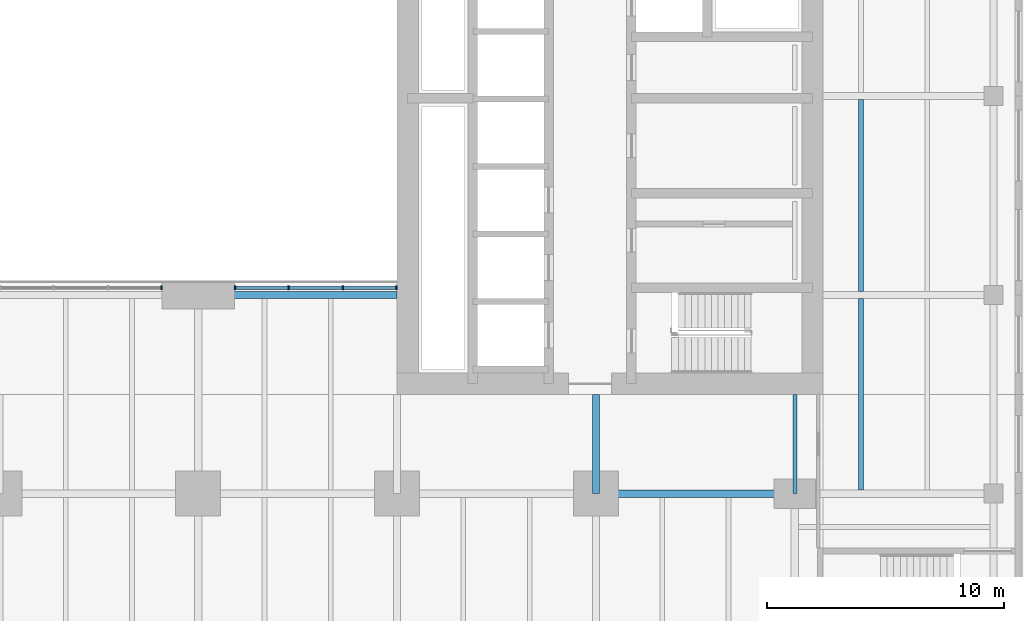
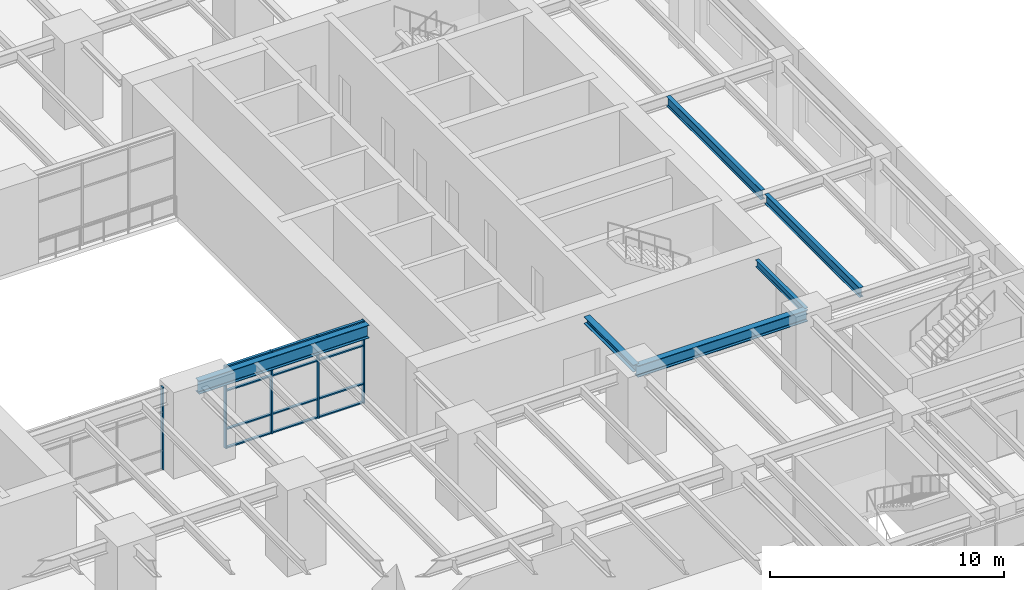
# One storey, part 7 of 30: 17 members, 6 beams, 2 elements without a shape of their own.
"""IFC4 building model written with IfcOpenShell, lengths in metres."""

from ifc_helpers import new_model, si_unit, direction, frame, origin, origin_2d, place, context, subcontext, project, spatial, rectangle, i_section, extrude, material, material_profile, profile_set, type_object, element, aggregate, save


model = new_model("IFC4")

# Units and contexts
model_context = context("Model", 3, precision=1e-05, world=origin(), true_north=direction((0.0, 1.0)))
body_context = subcontext(model_context, "Body", "Model", "MODEL_VIEW")
ifc_project = project(units=[si_unit("LENGTHUNIT", "METRE"), si_unit("AREAUNIT", "SQUARE_METRE"), si_unit("VOLUMEUNIT", "CUBIC_METRE"), si_unit("PLANEANGLEUNIT", "RADIAN"), si_unit("MASSUNIT", "GRAM", prefix="KILO")], contexts=[model_context])

# Site, building, storey
site_placement = place(None, origin())
site = spatial("IfcSite", under=ifc_project, at=site_placement, CompositionType="ELEMENT")
building_placement = place(site_placement, origin())
building = spatial("IfcBuilding", under=site, at=building_placement, Name="Claustro Exchange Tower", CompositionType="ELEMENT")
storey_placement = place(building_placement, frame((0.0, 0.0, 5.39990234375)))
storey = spatial("IfcBuildingStorey", under=building, at=storey_placement, Name="L01", CompositionType="ELEMENT", Elevation=5.39990234375)

# Beams
ifc_material_1 = material(Name="Steel S355", Category="steel")
ifc_material_profile_1 = material_profile(ifc_material_1, i_section(OverallWidth=0.300048828125, OverallDepth=0.60009765625, WebThickness=0.015380859375, FlangeThickness=0.030029296875, FilletRadius=0.027099609375, at=origin_2d()), Name="HE 600 B")
ifc_profile_set_1 = profile_set([ifc_material_profile_1], Name="Steel S355")
beam_type_1 = type_object("IfcBeamType", Name="B1 HE 600 B floor girder", PredefinedType="BEAM", material=ifc_profile_set_1)
beam_1_placement = place(storey_placement, frame((42.0, 8.39990234375, 4.0), z_axis=(1.0, 0.0, 0.0), x_axis=(0.0, 1.0, 0.0)))
element("IfcBeam", 1, at=beam_1_placement, inside=storey, type_object=beam_type_1, Name="Beam B1 L02", PredefinedType="BEAM", context=body_context, shape_type="SweptSolid", body=[
    extrude(i_section(OverallWidth=0.300048828125, OverallDepth=0.60009765625, WebThickness=0.015380859375, FlangeThickness=0.030029296875, FilletRadius=0.027099609375, at=origin_2d()), origin(), (0.0, 0.0, 1.0), 8.39990234375),
])
ifc_material_2 = material(Name="Steel S355", Category="steel")
ifc_material_profile_2 = material_profile(ifc_material_2, i_section(OverallWidth=0.300048828125, OverallDepth=0.68994140625, WebThickness=0.014404296875, FlangeThickness=0.027099609375, FilletRadius=0.027099609375, at=origin_2d()), Name="HE 700 A")
ifc_profile_set_2 = profile_set([ifc_material_profile_2], Name="Steel S355")
beam_type_2 = type_object("IfcBeamType", Name="B13 HE 700 A light well edge girder", PredefinedType="BEAM", material=ifc_profile_set_2)
beam_2_placement = place(storey_placement, frame((25.199951171875, 16.800048828125, 3.955078125), z_axis=(1.0, 0.0, 0.0), x_axis=(0.0, 1.0, 0.0)))
element("IfcBeam", 2, at=beam_2_placement, inside=storey, type_object=beam_type_2, Name="Beam B13 L02", PredefinedType="BEAM", context=body_context, shape_type="SweptSolid", body=[
    extrude(i_section(OverallWidth=0.300048828125, OverallDepth=0.68994140625, WebThickness=0.014404296875, FlangeThickness=0.027099609375, FilletRadius=0.027099609375, at=origin_2d()), origin(), (0.0, 0.0, 1.0), 8.400146484375),
])
ifc_material_3 = material(Name="Steel S355", Category="steel")
ifc_material_profile_3 = material_profile(ifc_material_3, i_section(OverallWidth=0.169921875, OverallDepth=0.360107421875, WebThickness=0.008056640625, FlangeThickness=0.0126953125, FilletRadius=0.01806640625, at=origin_2d()), Name="IPE 360")
ifc_profile_set_3 = profile_set([ifc_material_profile_3], Name="Steel S355")
beam_type_3 = type_object("IfcBeamType", Name="B16 IPE 360 short-span beam", PredefinedType="BEAM", material=ifc_profile_set_3)
beam_3_placement = place(storey_placement, frame((50.39990234375, 8.39990234375, 4.1201171875), z_axis=(0.0, 1.0, 0.0), x_axis=(-1.0, 0.0, 0.0)))
element("IfcBeam", 3, at=beam_3_placement, inside=storey, type_object=beam_type_3, Name="Beam B16 L02", PredefinedType="BEAM", context=body_context, shape_type="SweptSolid", body=[
    extrude(i_section(OverallWidth=0.169921875, OverallDepth=0.360107421875, WebThickness=0.008056640625, FlangeThickness=0.0126953125, FilletRadius=0.01806640625, at=origin_2d()), origin(), (0.0, 0.0, 1.0), 4.2001953125),
])
ifc_material_4 = material(Name="Steel S355", Category="steel")
ifc_material_profile_4 = material_profile(ifc_material_4, i_section(OverallWidth=0.199951171875, OverallDepth=0.5, WebThickness=0.01025390625, FlangeThickness=0.01611328125, FilletRadius=0.02099609375, at=origin_2d()), Name="IPE 500")
ifc_profile_set_4 = profile_set([ifc_material_profile_4], Name="Steel S355")
beam_type_4 = type_object("IfcBeamType", Name="B2 IPE 500 secondary beam", PredefinedType="BEAM", material=ifc_profile_set_4)
beam_4_placement = place(storey_placement, frame((53.199951171875, 8.550048828125, 4.050048828125), z_axis=(0.0, 1.0, 0.0), x_axis=(-1.0, 0.0, 0.0)))
element("IfcBeam", 4, at=beam_4_placement, inside=storey, type_object=beam_type_4, Name="Beam B2 L02", PredefinedType="BEAM", context=body_context, shape_type="SweptSolid", body=[
    extrude(i_section(OverallWidth=0.199951171875, OverallDepth=0.5, WebThickness=0.01025390625, FlangeThickness=0.01611328125, FilletRadius=0.02099609375, at=origin_2d()), origin(), (0.0, 0.0, 1.0), 8.099853515625),
])
beam_5_placement = place(storey_placement, frame((53.199951171875, 16.949951171875, 4.050048828125), z_axis=(0.0, 1.0, 0.0), x_axis=(-1.0, 0.0, 0.0)))
element("IfcBeam", 5, at=beam_5_placement, inside=storey, type_object=beam_type_4, Name="Beam B2 L02", PredefinedType="BEAM", context=body_context, shape_type="SweptSolid", body=[
    extrude(i_section(OverallWidth=0.199951171875, OverallDepth=0.5, WebThickness=0.01025390625, FlangeThickness=0.01611328125, FilletRadius=0.02099609375, at=origin_2d()), origin(), (0.0, 0.0, 1.0), 8.10009765625),
])
ifc_material_5 = material(Name="Steel S355", Category="steel")
ifc_material_profile_5 = material_profile(ifc_material_5, i_section(OverallWidth=0.300048828125, OverallDepth=0.360107421875, WebThickness=0.012451171875, FlangeThickness=0.0224609375, FilletRadius=0.027099609375, at=origin_2d()), Name="HE 360 B")
ifc_profile_set_5 = profile_set([ifc_material_profile_5], Name="Steel S355")
beam_type_5 = type_object("IfcBeamType", Name="B29 HE 360 B column to core link beam", PredefinedType="BEAM", material=ifc_profile_set_5)
beam_6_placement = place(storey_placement, frame((42.0, 8.39990234375, 4.1201171875), z_axis=(0.0, 1.0, 0.0), x_axis=(-1.0, 0.0, 0.0)))
element("IfcBeam", 6, at=beam_6_placement, inside=storey, type_object=beam_type_5, Name="Beam B29 L02", PredefinedType="BEAM", context=body_context, shape_type="SweptSolid", body=[
    extrude(i_section(OverallWidth=0.300048828125, OverallDepth=0.360107421875, WebThickness=0.012451171875, FlangeThickness=0.0224609375, FilletRadius=0.027099609375, at=origin_2d()), origin(), (0.0, 0.0, 1.0), 4.2001953125),
])

# Curtain wall, member
ifc_material_6 = material(Name="Aluminium frame, clear double glazing", Category="aluminium")
curtain_wall_type = type_object("IfcCurtainWallType", Name="CW3 light well curtain wall", PredefinedType="USERDEFINED", material=ifc_material_6)
curtain_wall_1_placement = place(storey_placement, origin())
curtain_wall_1 = element("IfcCurtainWall", 7, at=curtain_wall_1_placement, inside=storey, type_object=curtain_wall_type, Name="Curtain wall CW3 L01", ObjectType="STICK CURTAIN WALL", PredefinedType="USERDEFINED")
ifc_material_7 = material(Name="Aluminium mullion", Category="aluminium")
ifc_material_profile_6 = material_profile(ifc_material_7, rectangle(XDim=0.179931640625, YDim=0.06494140625, at=origin_2d()), Name="CW3-M 65x180")
ifc_profile_set_6 = profile_set([ifc_material_profile_6], Name="Aluminium mullion")
member_type_1 = type_object("IfcMemberType", Name="CW3-M 65 x 180 mullion", PredefinedType="MULLION", material=ifc_profile_set_6)
member_1_placement = place(storey_placement, frame((23.642578125, 17.10009765625, 0.0), z_axis=(0.0, 0.0, 1.0), x_axis=(0.0, 1.0, 0.0)))
member_1 = element("IfcMember", 8, at=member_1_placement, type_object=member_type_1, Name="CW3 mullion 4", PredefinedType="MULLION", context=body_context, shape_type="SweptSolid", body=[
    extrude(rectangle(XDim=0.179931640625, YDim=0.06494140625, at=origin_2d()), origin(), (0.0, 0.0, 1.0), 4.300048828125),
])
aggregate(curtain_wall_1, [member_1])

# Curtain wall, members
curtain_wall_2_placement = place(storey_placement, origin())
curtain_wall_2 = element("IfcCurtainWall", 9, at=curtain_wall_2_placement, inside=storey, type_object=curtain_wall_type, Name="Curtain wall CW3 L01", ObjectType="STICK CURTAIN WALL", PredefinedType="USERDEFINED")
member_2_placement = place(storey_placement, frame((26.757568359375, 17.10009765625, 0.0), z_axis=(0.0, 0.0, 1.0), x_axis=(0.0, 1.0, 0.0)))
member_2 = element("IfcMember", 10, at=member_2_placement, type_object=member_type_1, Name="CW3 mullion 1", PredefinedType="MULLION", context=body_context, shape_type="SweptSolid", body=[
    extrude(rectangle(XDim=0.179931640625, YDim=0.06494140625, at=origin_2d()), origin(), (0.0, 0.0, 1.0), 4.300048828125),
])
member_3_placement = place(storey_placement, frame((29.0166015625, 17.10009765625, 0.0), z_axis=(0.0, 0.0, 1.0), x_axis=(0.0, 1.0, 0.0)))
member_3 = element("IfcMember", 11, at=member_3_placement, type_object=member_type_1, Name="CW3 mullion 2", PredefinedType="MULLION", context=body_context, shape_type="SweptSolid", body=[
    extrude(rectangle(XDim=0.179931640625, YDim=0.06494140625, at=origin_2d()), origin(), (0.0, 0.0, 1.0), 4.300048828125),
])
member_4_placement = place(storey_placement, frame((31.308349609375, 17.10009765625, 0.0), z_axis=(0.0, 0.0, 1.0), x_axis=(0.0, 1.0, 0.0)))
member_4 = element("IfcMember", 12, at=member_4_placement, type_object=member_type_1, Name="CW3 mullion 3", PredefinedType="MULLION", context=body_context, shape_type="SweptSolid", body=[
    extrude(rectangle(XDim=0.179931640625, YDim=0.06494140625, at=origin_2d()), origin(), (0.0, 0.0, 1.0), 4.300048828125),
])
member_5_placement = place(storey_placement, frame((33.5673828125, 17.10009765625, 0.0), z_axis=(0.0, 0.0, 1.0), x_axis=(0.0, 1.0, 0.0)))
member_5 = element("IfcMember", 13, at=member_5_placement, type_object=member_type_1, Name="CW3 mullion 4", PredefinedType="MULLION", context=body_context, shape_type="SweptSolid", body=[
    extrude(rectangle(XDim=0.179931640625, YDim=0.06494140625, at=origin_2d()), origin(), (0.0, 0.0, 1.0), 4.300048828125),
])
ifc_material_8 = material(Name="Aluminium transom", Category="aluminium")
ifc_material_profile_7 = material_profile(ifc_material_8, rectangle(XDim=0.1298828125, YDim=0.06494140625, at=origin_2d()), Name="CW3-T 65x130")
ifc_profile_set_7 = profile_set([ifc_material_profile_7], Name="Aluminium transom")
member_type_2 = type_object("IfcMemberType", Name="CW3-T 65 x 130 transom", PredefinedType="USERDEFINED", material=ifc_profile_set_7)
member_6_placement = place(storey_placement, frame((26.7900390625, 17.10009765625, 0.03271484375), z_axis=(1.0, 0.0, 0.0), x_axis=(0.0, 1.0, 0.0)))
member_6 = element("IfcMember", 14, at=member_6_placement, type_object=member_type_2, Name="CW3 transom 1.1", ObjectType="TRANSOM", PredefinedType="USERDEFINED", context=body_context, shape_type="SweptSolid", body=[
    extrude(rectangle(XDim=0.1298828125, YDim=0.06494140625, at=origin_2d()), origin(), (0.0, 0.0, 1.0), 2.194091796875),
])
member_7_placement = place(storey_placement, frame((26.7900390625, 17.10009765625, 1.0), z_axis=(1.0, 0.0, 0.0), x_axis=(0.0, 1.0, 0.0)))
member_7 = element("IfcMember", 15, at=member_7_placement, type_object=member_type_2, Name="CW3 transom 1.2", ObjectType="TRANSOM", PredefinedType="USERDEFINED", context=body_context, shape_type="SweptSolid", body=[
    extrude(rectangle(XDim=0.1298828125, YDim=0.06494140625, at=origin_2d()), origin(), (0.0, 0.0, 1.0), 2.194091796875),
])
member_8_placement = place(storey_placement, frame((26.7900390625, 17.10009765625, 3.0), z_axis=(1.0, 0.0, 0.0), x_axis=(0.0, 1.0, 0.0)))
member_8 = element("IfcMember", 16, at=member_8_placement, type_object=member_type_2, Name="CW3 transom 1.3", ObjectType="TRANSOM", PredefinedType="USERDEFINED", context=body_context, shape_type="SweptSolid", body=[
    extrude(rectangle(XDim=0.1298828125, YDim=0.06494140625, at=origin_2d()), origin(), (0.0, 0.0, 1.0), 2.194091796875),
])
member_9_placement = place(storey_placement, frame((26.7900390625, 17.10009765625, 4.267578125), z_axis=(1.0, 0.0, 0.0), x_axis=(0.0, 1.0, 0.0)))
member_9 = element("IfcMember", 17, at=member_9_placement, type_object=member_type_2, Name="CW3 transom 1.4", ObjectType="TRANSOM", PredefinedType="USERDEFINED", context=body_context, shape_type="SweptSolid", body=[
    extrude(rectangle(XDim=0.1298828125, YDim=0.06494140625, at=origin_2d()), origin(), (0.0, 0.0, 1.0), 2.194091796875),
])
member_10_placement = place(storey_placement, frame((29.049072265625, 17.10009765625, 0.03271484375), z_axis=(1.0, 0.0, 0.0), x_axis=(0.0, 1.0, 0.0)))
member_10 = element("IfcMember", 18, at=member_10_placement, type_object=member_type_2, Name="CW3 transom 2.1", ObjectType="TRANSOM", PredefinedType="USERDEFINED", context=body_context, shape_type="SweptSolid", body=[
    extrude(rectangle(XDim=0.1298828125, YDim=0.06494140625, at=origin_2d()), origin(), (0.0, 0.0, 1.0), 2.226806640625),
])
member_11_placement = place(storey_placement, frame((29.049072265625, 17.10009765625, 1.0), z_axis=(1.0, 0.0, 0.0), x_axis=(0.0, 1.0, 0.0)))
member_11 = element("IfcMember", 19, at=member_11_placement, type_object=member_type_2, Name="CW3 transom 2.2", ObjectType="TRANSOM", PredefinedType="USERDEFINED", context=body_context, shape_type="SweptSolid", body=[
    extrude(rectangle(XDim=0.1298828125, YDim=0.06494140625, at=origin_2d()), origin(), (0.0, 0.0, 1.0), 2.226806640625),
])
member_12_placement = place(storey_placement, frame((29.049072265625, 17.10009765625, 3.0), z_axis=(1.0, 0.0, 0.0), x_axis=(0.0, 1.0, 0.0)))
member_12 = element("IfcMember", 20, at=member_12_placement, type_object=member_type_2, Name="CW3 transom 2.3", ObjectType="TRANSOM", PredefinedType="USERDEFINED", context=body_context, shape_type="SweptSolid", body=[
    extrude(rectangle(XDim=0.1298828125, YDim=0.06494140625, at=origin_2d()), origin(), (0.0, 0.0, 1.0), 2.226806640625),
])
member_13_placement = place(storey_placement, frame((29.049072265625, 17.10009765625, 4.267578125), z_axis=(1.0, 0.0, 0.0), x_axis=(0.0, 1.0, 0.0)))
member_13 = element("IfcMember", 21, at=member_13_placement, type_object=member_type_2, Name="CW3 transom 2.4", ObjectType="TRANSOM", PredefinedType="USERDEFINED", context=body_context, shape_type="SweptSolid", body=[
    extrude(rectangle(XDim=0.1298828125, YDim=0.06494140625, at=origin_2d()), origin(), (0.0, 0.0, 1.0), 2.226806640625),
])
member_14_placement = place(storey_placement, frame((31.3408203125, 17.10009765625, 0.03271484375), z_axis=(1.0, 0.0, 0.0), x_axis=(0.0, 1.0, 0.0)))
member_14 = element("IfcMember", 22, at=member_14_placement, type_object=member_type_2, Name="CW3 transom 3.1", ObjectType="TRANSOM", PredefinedType="USERDEFINED", context=body_context, shape_type="SweptSolid", body=[
    extrude(rectangle(XDim=0.1298828125, YDim=0.06494140625, at=origin_2d()), origin(), (0.0, 0.0, 1.0), 2.194091796875),
])
member_15_placement = place(storey_placement, frame((31.3408203125, 17.10009765625, 1.0), z_axis=(1.0, 0.0, 0.0), x_axis=(0.0, 1.0, 0.0)))
member_15 = element("IfcMember", 23, at=member_15_placement, type_object=member_type_2, Name="CW3 transom 3.2", ObjectType="TRANSOM", PredefinedType="USERDEFINED", context=body_context, shape_type="SweptSolid", body=[
    extrude(rectangle(XDim=0.1298828125, YDim=0.06494140625, at=origin_2d()), origin(), (0.0, 0.0, 1.0), 2.194091796875),
])
member_16_placement = place(storey_placement, frame((31.3408203125, 17.10009765625, 3.0), z_axis=(1.0, 0.0, 0.0), x_axis=(0.0, 1.0, 0.0)))
member_16 = element("IfcMember", 24, at=member_16_placement, type_object=member_type_2, Name="CW3 transom 3.3", ObjectType="TRANSOM", PredefinedType="USERDEFINED", context=body_context, shape_type="SweptSolid", body=[
    extrude(rectangle(XDim=0.1298828125, YDim=0.06494140625, at=origin_2d()), origin(), (0.0, 0.0, 1.0), 2.194091796875),
])
member_17_placement = place(storey_placement, frame((31.3408203125, 17.10009765625, 4.267578125), z_axis=(1.0, 0.0, 0.0), x_axis=(0.0, 1.0, 0.0)))
member_17 = element("IfcMember", 25, at=member_17_placement, type_object=member_type_2, Name="CW3 transom 3.4", ObjectType="TRANSOM", PredefinedType="USERDEFINED", context=body_context, shape_type="SweptSolid", body=[
    extrude(rectangle(XDim=0.1298828125, YDim=0.06494140625, at=origin_2d()), origin(), (0.0, 0.0, 1.0), 2.194091796875),
])
aggregate(curtain_wall_2, [member_2, member_3, member_4, member_5, member_6, member_7, member_8, member_9, member_10, member_11, member_12, member_13, member_14, member_15, member_16, member_17])

save(model, "model.ifc")
